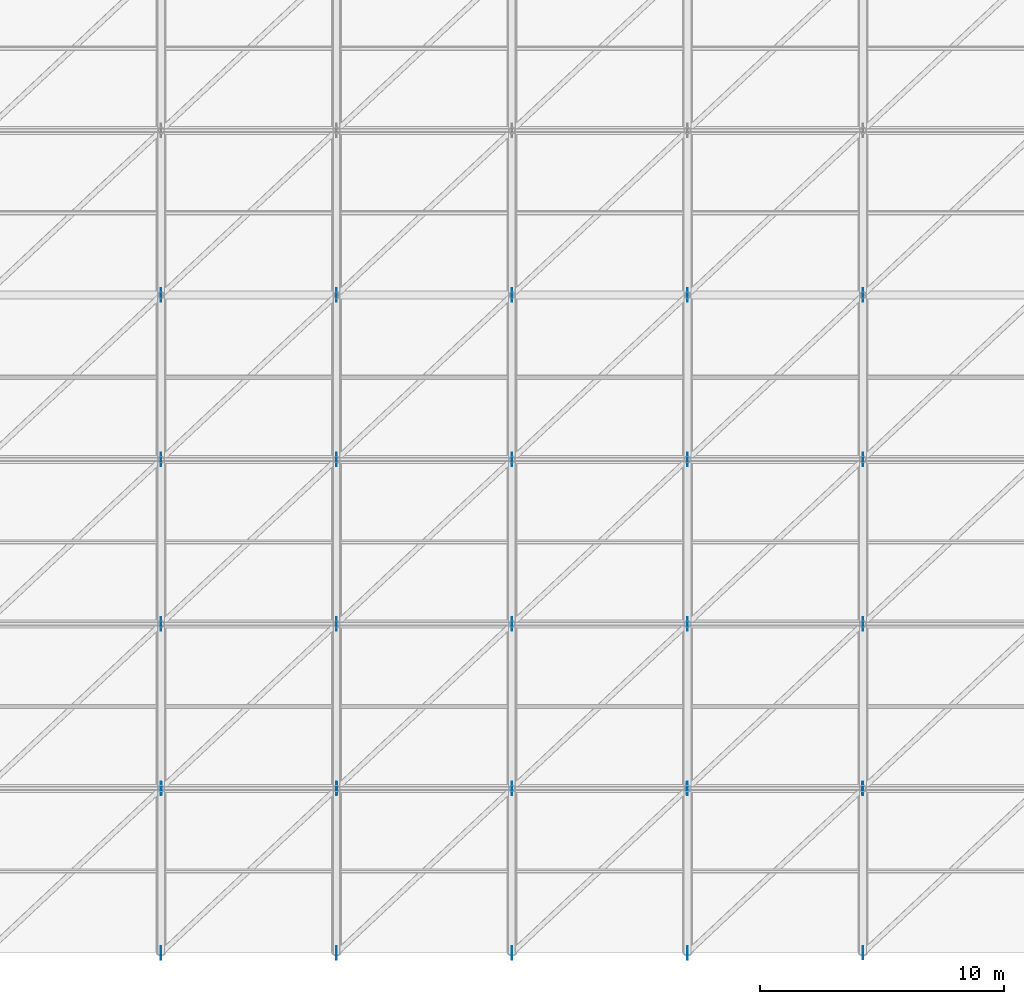
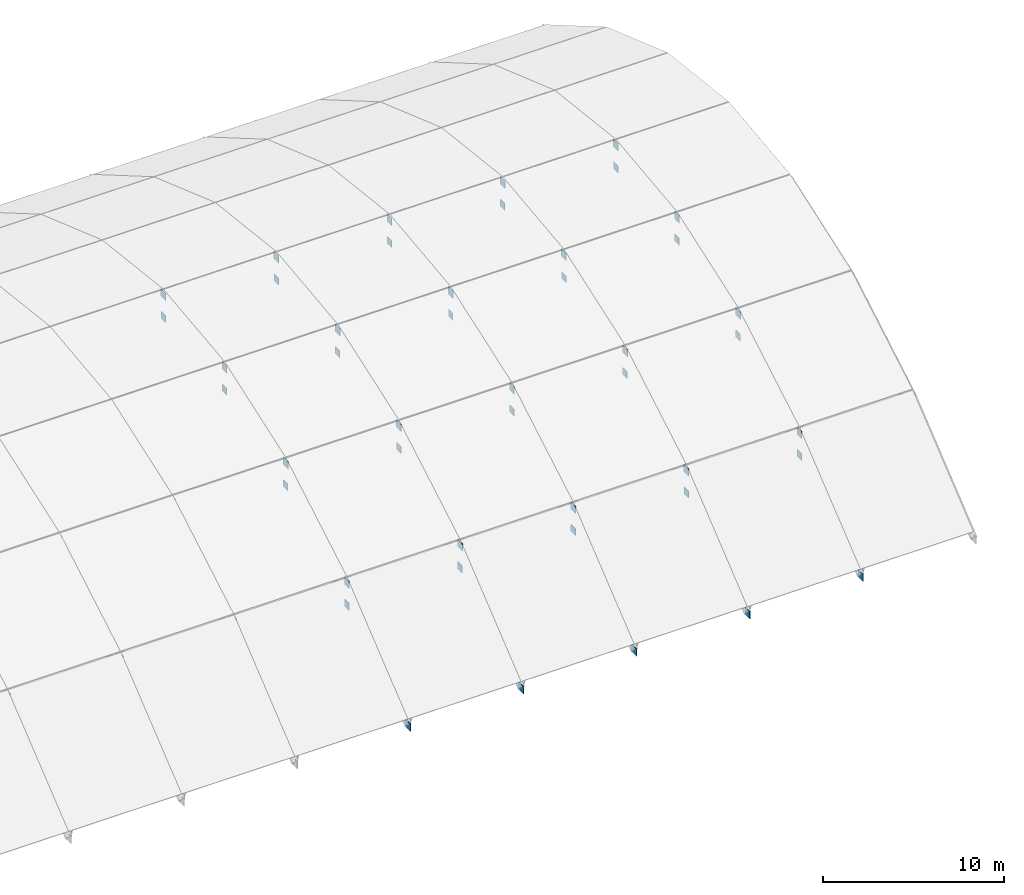
# One storey, part 61 of 72: 45 plates.
"""IFC4 building model written with IfcOpenShell, lengths in metres."""

from ifc_helpers import new_model, si_unit, direction, frame, origin, origin_2d, place, context, subcontext, project, spatial, rectangle, extrude, material, layer, layer_set, type_object, element, save


model = new_model("IFC4")

# Units and contexts
model_context = context("Model", 3, precision=1e-05, world=origin(), true_north=direction((0.0, 1.0)))
body_context = subcontext(model_context, "Body", "Model", "MODEL_VIEW")
ifc_project = project(units=[si_unit("LENGTHUNIT", "METRE"), si_unit("AREAUNIT", "SQUARE_METRE"), si_unit("VOLUMEUNIT", "CUBIC_METRE"), si_unit("PLANEANGLEUNIT", "RADIAN"), si_unit("MASSUNIT", "GRAM", prefix="KILO")], contexts=[model_context])

# Site, building, storey
site_placement = place(None, origin())
site = spatial("IfcSite", under=ifc_project, at=site_placement, CompositionType="ELEMENT")
building_placement = place(site_placement, origin())
building = spatial("IfcBuilding", under=site, at=building_placement, Name="Vaelcorin Mobility Hub", CompositionType="ELEMENT")
storey_placement = place(building_placement, frame((0.0, 0.0, 25.800048828125)))
storey = spatial("IfcBuildingStorey", under=building, at=storey_placement, Name="RF", CompositionType="ELEMENT", Elevation=25.800048828125)

# Plates
ifc_material = material(Name="Steel ASTM A572 Grade 50", Category="steel")
ifc_layer_1 = layer(ifc_material, 0.0400390625)
ifc_layer_set_1 = layer_set([ifc_layer_1], Name="Steel ASTM A572 Grade 50")
plate_type_1 = type_object("IfcPlateType", Name="PL-SN1", PredefinedType="USERDEFINED", material=ifc_layer_set_1)
for number, where, z_axis, x_axis, name in (
    (1, (72.0, 12.75, -16.01806640625), (0.0, 0.0, 1.0), (1.0, 0.0, 0.0), "Space-Frame Lower Node Gusset 6-1"),
    (2, (79.199951171875, 12.75, -16.01806640625), (0.0, 0.0, 1.0), (1.0, 0.0, 0.0), "Space-Frame Lower Node Gusset 7-1"),
    (3, (86.39990234375, 12.75, -16.01806640625), (0.0, 0.0, 1.0), (1.0, 0.0, 0.0), "Space-Frame Lower Node Gusset 8-1"),
    (4, (93.60009765625, 12.75, -16.01806640625), (0.0, 0.0, 1.0), (1.0, 0.0, 0.0), "Space-Frame Lower Node Gusset 9-1"),
    (5, (100.800048828125, 12.75, -16.01806640625), (0.0, 0.0, 1.0), (1.0, 0.0, 0.0), "Space-Frame Lower Node Gusset 10-1"),
):
    element("IfcPlate", number, at=place(storey_placement, frame(where, z_axis=z_axis, x_axis=x_axis)), inside=storey, type_object=plate_type_1, Name=name, ObjectType="GUSSET PLATE", PredefinedType="USERDEFINED", context=body_context, shape_type="SweptSolid", body=[
        extrude(rectangle(XDim=0.0400390625, YDim=0.5, at=origin_2d()), origin(), (0.0, 0.0, 1.0), 0.4599609375),
    ])
ifc_layer_2 = layer(ifc_material, 0.035888671875)
ifc_layer_set_2 = layer_set([ifc_layer_2], Name="Steel ASTM A572 Grade 50")
plate_type_2 = type_object("IfcPlateType", Name="PL-SN2", PredefinedType="USERDEFINED", material=ifc_layer_set_2)
for number, where, z_axis, x_axis, name in (
    (6, (72.0, 6.0, -20.050048828125), (0.0, 0.0, 1.0), (1.0, 0.0, 0.0), "Space-Frame Node Gusset SN2 6-0"),
    (7, (79.199951171875, 6.0, -20.050048828125), (0.0, 0.0, 1.0), (1.0, 0.0, 0.0), "Space-Frame Node Gusset SN2 7-0"),
    (8, (86.39990234375, 6.0, -20.050048828125), (0.0, 0.0, 1.0), (1.0, 0.0, 0.0), "Space-Frame Node Gusset SN2 8-0"),
    (9, (93.60009765625, 6.0, -20.050048828125), (0.0, 0.0, 1.0), (1.0, 0.0, 0.0), "Space-Frame Node Gusset SN2 9-0"),
    (10, (100.800048828125, 6.0, -20.050048828125), (0.0, 0.0, 1.0), (1.0, 0.0, 0.0), "Space-Frame Node Gusset SN2 10-0"),
):
    element("IfcPlate", number, at=place(storey_placement, frame(where, z_axis=z_axis, x_axis=x_axis)), inside=storey, type_object=plate_type_2, Name=name, ObjectType="GUSSET PLATE", PredefinedType="USERDEFINED", context=body_context, shape_type="SweptSolid", body=[
        extrude(rectangle(XDim=0.035888671875, YDim=0.5400390625, at=origin_2d()), origin(), (0.0, 0.0, 1.0), 0.5),
    ])
ifc_layer_3 = layer(ifc_material, 0.031982421875)
ifc_layer_set_3 = layer_set([ifc_layer_3], Name="Steel ASTM A572 Grade 50")
plate_type_3 = type_object("IfcPlateType", Name="PL-SN3", PredefinedType="USERDEFINED", material=ifc_layer_set_3)
for number, where, z_axis, x_axis, name in (
    (11, (72.0, 33.0, -7.449951171875), (0.0, 0.0, 1.0), (1.0, 0.0, 0.0), "Space-Frame Node Gusset SN3 6-4"),
    (12, (79.199951171875, 33.0, -7.449951171875), (0.0, 0.0, 1.0), (1.0, 0.0, 0.0), "Space-Frame Node Gusset SN3 7-4"),
    (13, (86.39990234375, 33.0, -7.449951171875), (0.0, 0.0, 1.0), (1.0, 0.0, 0.0), "Space-Frame Node Gusset SN3 8-4"),
    (14, (93.60009765625, 33.0, -7.449951171875), (0.0, 0.0, 1.0), (1.0, 0.0, 0.0), "Space-Frame Node Gusset SN3 9-4"),
    (15, (100.800048828125, 33.0, -7.449951171875), (0.0, 0.0, 1.0), (1.0, 0.0, 0.0), "Space-Frame Node Gusset SN3 10-4"),
):
    element("IfcPlate", number, at=place(storey_placement, frame(where, z_axis=z_axis, x_axis=x_axis)), inside=storey, type_object=plate_type_3, Name=name, ObjectType="GUSSET PLATE", PredefinedType="USERDEFINED", context=body_context, shape_type="SweptSolid", body=[
        extrude(rectangle(XDim=0.031982421875, YDim=0.5400390625, at=origin_2d()), origin(), (0.0, 0.0, 1.0), 0.5),
    ])
ifc_layer_4 = layer(ifc_material, 0.028076171875)
ifc_layer_set_4 = layer_set([ifc_layer_4], Name="Steel ASTM A572 Grade 50")
plate_type_4 = type_object("IfcPlateType", Name="PL-SN4", PredefinedType="USERDEFINED", material=ifc_layer_set_4)
for number, where, z_axis, x_axis, name in (
    (16, (72.0, 12.75, -14.5380859375), (0.0, 0.0, 1.0), (1.0, 0.0, 0.0), "Space-Frame Node Gusset SN4 6-1"),
    (17, (72.0, 19.5, -10.60009765625), (0.0, 0.0, 1.0), (1.0, 0.0, 0.0), "Space-Frame Node Gusset SN4 6-2"),
):
    element("IfcPlate", number, at=place(storey_placement, frame(where, z_axis=z_axis, x_axis=x_axis)), inside=storey, type_object=plate_type_4, Name=name, ObjectType="GUSSET PLATE", PredefinedType="USERDEFINED", context=body_context, shape_type="SweptSolid", body=[
        extrude(rectangle(XDim=0.028076171875, YDim=0.5400390625, at=origin_2d()), origin(), (0.0, 0.0, 1.0), 0.5),
    ])
plate_1_placement = place(storey_placement, frame((72.0, 19.5, -12.080078125), z_axis=(0.0, 0.0, 1.0), x_axis=(1.0, 0.0, 0.0)))
element("IfcPlate", 18, at=plate_1_placement, inside=storey, type_object=plate_type_4, Name="Space-Frame Lower Node Gusset 6-2", ObjectType="GUSSET PLATE", PredefinedType="USERDEFINED", context=body_context, shape_type="SweptSolid", body=[
    extrude(rectangle(XDim=0.028076171875, YDim=0.5, at=origin_2d()), origin(), (0.0, 0.0, 1.0), 0.4599609375),
])
plate_2_placement = place(storey_placement, frame((72.0, 26.25, -8.238037109375), z_axis=(0.0, 0.0, 1.0), x_axis=(1.0, 0.0, 0.0)))
element("IfcPlate", 19, at=plate_2_placement, inside=storey, type_object=plate_type_4, Name="Space-Frame Node Gusset SN4 6-3", ObjectType="GUSSET PLATE", PredefinedType="USERDEFINED", context=body_context, shape_type="SweptSolid", body=[
    extrude(rectangle(XDim=0.028076171875, YDim=0.5400390625, at=origin_2d()), origin(), (0.0, 0.0, 1.0), 0.5),
])
for number, where, z_axis, x_axis, name in (
    (20, (72.0, 26.25, -9.718017578125), (0.0, 0.0, 1.0), (1.0, 0.0, 0.0), "Space-Frame Lower Node Gusset 6-3"),
    (21, (72.0, 33.0, -8.929931640625), (0.0, 0.0, 1.0), (1.0, 0.0, 0.0), "Space-Frame Lower Node Gusset 6-4"),
):
    element("IfcPlate", number, at=place(storey_placement, frame(where, z_axis=z_axis, x_axis=x_axis)), inside=storey, type_object=plate_type_4, Name=name, ObjectType="GUSSET PLATE", PredefinedType="USERDEFINED", context=body_context, shape_type="SweptSolid", body=[
        extrude(rectangle(XDim=0.028076171875, YDim=0.5, at=origin_2d()), origin(), (0.0, 0.0, 1.0), 0.4599609375),
    ])
for number, where, z_axis, x_axis, name in (
    (22, (79.199951171875, 12.75, -14.5380859375), (0.0, 0.0, 1.0), (1.0, 0.0, 0.0), "Space-Frame Node Gusset SN4 7-1"),
    (23, (79.199951171875, 19.5, -10.60009765625), (0.0, 0.0, 1.0), (1.0, 0.0, 0.0), "Space-Frame Node Gusset SN4 7-2"),
):
    element("IfcPlate", number, at=place(storey_placement, frame(where, z_axis=z_axis, x_axis=x_axis)), inside=storey, type_object=plate_type_4, Name=name, ObjectType="GUSSET PLATE", PredefinedType="USERDEFINED", context=body_context, shape_type="SweptSolid", body=[
        extrude(rectangle(XDim=0.028076171875, YDim=0.5400390625, at=origin_2d()), origin(), (0.0, 0.0, 1.0), 0.5),
    ])
plate_3_placement = place(storey_placement, frame((79.199951171875, 19.5, -12.080078125), z_axis=(0.0, 0.0, 1.0), x_axis=(1.0, 0.0, 0.0)))
element("IfcPlate", 24, at=plate_3_placement, inside=storey, type_object=plate_type_4, Name="Space-Frame Lower Node Gusset 7-2", ObjectType="GUSSET PLATE", PredefinedType="USERDEFINED", context=body_context, shape_type="SweptSolid", body=[
    extrude(rectangle(XDim=0.028076171875, YDim=0.5, at=origin_2d()), origin(), (0.0, 0.0, 1.0), 0.4599609375),
])
plate_4_placement = place(storey_placement, frame((79.199951171875, 26.25, -8.238037109375), z_axis=(0.0, 0.0, 1.0), x_axis=(1.0, 0.0, 0.0)))
element("IfcPlate", 25, at=plate_4_placement, inside=storey, type_object=plate_type_4, Name="Space-Frame Node Gusset SN4 7-3", ObjectType="GUSSET PLATE", PredefinedType="USERDEFINED", context=body_context, shape_type="SweptSolid", body=[
    extrude(rectangle(XDim=0.028076171875, YDim=0.5400390625, at=origin_2d()), origin(), (0.0, 0.0, 1.0), 0.5),
])
for number, where, z_axis, x_axis, name in (
    (26, (79.199951171875, 26.25, -9.718017578125), (0.0, 0.0, 1.0), (1.0, 0.0, 0.0), "Space-Frame Lower Node Gusset 7-3"),
    (27, (79.199951171875, 33.0, -8.929931640625), (0.0, 0.0, 1.0), (1.0, 0.0, 0.0), "Space-Frame Lower Node Gusset 7-4"),
):
    element("IfcPlate", number, at=place(storey_placement, frame(where, z_axis=z_axis, x_axis=x_axis)), inside=storey, type_object=plate_type_4, Name=name, ObjectType="GUSSET PLATE", PredefinedType="USERDEFINED", context=body_context, shape_type="SweptSolid", body=[
        extrude(rectangle(XDim=0.028076171875, YDim=0.5, at=origin_2d()), origin(), (0.0, 0.0, 1.0), 0.4599609375),
    ])
for number, where, z_axis, x_axis, name in (
    (28, (86.39990234375, 12.75, -14.5380859375), (0.0, 0.0, 1.0), (1.0, 0.0, 0.0), "Space-Frame Node Gusset SN4 8-1"),
    (29, (86.39990234375, 19.5, -10.60009765625), (0.0, 0.0, 1.0), (1.0, 0.0, 0.0), "Space-Frame Node Gusset SN4 8-2"),
):
    element("IfcPlate", number, at=place(storey_placement, frame(where, z_axis=z_axis, x_axis=x_axis)), inside=storey, type_object=plate_type_4, Name=name, ObjectType="GUSSET PLATE", PredefinedType="USERDEFINED", context=body_context, shape_type="SweptSolid", body=[
        extrude(rectangle(XDim=0.028076171875, YDim=0.5400390625, at=origin_2d()), origin(), (0.0, 0.0, 1.0), 0.5),
    ])
plate_5_placement = place(storey_placement, frame((86.39990234375, 19.5, -12.080078125), z_axis=(0.0, 0.0, 1.0), x_axis=(1.0, 0.0, 0.0)))
element("IfcPlate", 30, at=plate_5_placement, inside=storey, type_object=plate_type_4, Name="Space-Frame Lower Node Gusset 8-2", ObjectType="GUSSET PLATE", PredefinedType="USERDEFINED", context=body_context, shape_type="SweptSolid", body=[
    extrude(rectangle(XDim=0.028076171875, YDim=0.5, at=origin_2d()), origin(), (0.0, 0.0, 1.0), 0.4599609375),
])
plate_6_placement = place(storey_placement, frame((86.39990234375, 26.25, -8.238037109375), z_axis=(0.0, 0.0, 1.0), x_axis=(1.0, 0.0, 0.0)))
element("IfcPlate", 31, at=plate_6_placement, inside=storey, type_object=plate_type_4, Name="Space-Frame Node Gusset SN4 8-3", ObjectType="GUSSET PLATE", PredefinedType="USERDEFINED", context=body_context, shape_type="SweptSolid", body=[
    extrude(rectangle(XDim=0.028076171875, YDim=0.5400390625, at=origin_2d()), origin(), (0.0, 0.0, 1.0), 0.5),
])
for number, where, z_axis, x_axis, name in (
    (32, (86.39990234375, 26.25, -9.718017578125), (0.0, 0.0, 1.0), (1.0, 0.0, 0.0), "Space-Frame Lower Node Gusset 8-3"),
    (33, (86.39990234375, 33.0, -8.929931640625), (0.0, 0.0, 1.0), (1.0, 0.0, 0.0), "Space-Frame Lower Node Gusset 8-4"),
):
    element("IfcPlate", number, at=place(storey_placement, frame(where, z_axis=z_axis, x_axis=x_axis)), inside=storey, type_object=plate_type_4, Name=name, ObjectType="GUSSET PLATE", PredefinedType="USERDEFINED", context=body_context, shape_type="SweptSolid", body=[
        extrude(rectangle(XDim=0.028076171875, YDim=0.5, at=origin_2d()), origin(), (0.0, 0.0, 1.0), 0.4599609375),
    ])
for number, where, z_axis, x_axis, name in (
    (34, (93.60009765625, 12.75, -14.5380859375), (0.0, 0.0, 1.0), (1.0, 0.0, 0.0), "Space-Frame Node Gusset SN4 9-1"),
    (35, (93.60009765625, 19.5, -10.60009765625), (0.0, 0.0, 1.0), (1.0, 0.0, 0.0), "Space-Frame Node Gusset SN4 9-2"),
):
    element("IfcPlate", number, at=place(storey_placement, frame(where, z_axis=z_axis, x_axis=x_axis)), inside=storey, type_object=plate_type_4, Name=name, ObjectType="GUSSET PLATE", PredefinedType="USERDEFINED", context=body_context, shape_type="SweptSolid", body=[
        extrude(rectangle(XDim=0.028076171875, YDim=0.5400390625, at=origin_2d()), origin(), (0.0, 0.0, 1.0), 0.5),
    ])
plate_7_placement = place(storey_placement, frame((93.60009765625, 19.5, -12.080078125), z_axis=(0.0, 0.0, 1.0), x_axis=(1.0, 0.0, 0.0)))
element("IfcPlate", 36, at=plate_7_placement, inside=storey, type_object=plate_type_4, Name="Space-Frame Lower Node Gusset 9-2", ObjectType="GUSSET PLATE", PredefinedType="USERDEFINED", context=body_context, shape_type="SweptSolid", body=[
    extrude(rectangle(XDim=0.028076171875, YDim=0.5, at=origin_2d()), origin(), (0.0, 0.0, 1.0), 0.4599609375),
])
plate_8_placement = place(storey_placement, frame((93.60009765625, 26.25, -8.238037109375), z_axis=(0.0, 0.0, 1.0), x_axis=(1.0, 0.0, 0.0)))
element("IfcPlate", 37, at=plate_8_placement, inside=storey, type_object=plate_type_4, Name="Space-Frame Node Gusset SN4 9-3", ObjectType="GUSSET PLATE", PredefinedType="USERDEFINED", context=body_context, shape_type="SweptSolid", body=[
    extrude(rectangle(XDim=0.028076171875, YDim=0.5400390625, at=origin_2d()), origin(), (0.0, 0.0, 1.0), 0.5),
])
for number, where, z_axis, x_axis, name in (
    (38, (93.60009765625, 26.25, -9.718017578125), (0.0, 0.0, 1.0), (1.0, 0.0, 0.0), "Space-Frame Lower Node Gusset 9-3"),
    (39, (93.60009765625, 33.0, -8.929931640625), (0.0, 0.0, 1.0), (1.0, 0.0, 0.0), "Space-Frame Lower Node Gusset 9-4"),
):
    element("IfcPlate", number, at=place(storey_placement, frame(where, z_axis=z_axis, x_axis=x_axis)), inside=storey, type_object=plate_type_4, Name=name, ObjectType="GUSSET PLATE", PredefinedType="USERDEFINED", context=body_context, shape_type="SweptSolid", body=[
        extrude(rectangle(XDim=0.028076171875, YDim=0.5, at=origin_2d()), origin(), (0.0, 0.0, 1.0), 0.4599609375),
    ])
for number, where, z_axis, x_axis, name in (
    (40, (100.800048828125, 12.75, -14.5380859375), (0.0, 0.0, 1.0), (1.0, 0.0, 0.0), "Space-Frame Node Gusset SN4 10-1"),
    (41, (100.800048828125, 19.5, -10.60009765625), (0.0, 0.0, 1.0), (1.0, 0.0, 0.0), "Space-Frame Node Gusset SN4 10-2"),
):
    element("IfcPlate", number, at=place(storey_placement, frame(where, z_axis=z_axis, x_axis=x_axis)), inside=storey, type_object=plate_type_4, Name=name, ObjectType="GUSSET PLATE", PredefinedType="USERDEFINED", context=body_context, shape_type="SweptSolid", body=[
        extrude(rectangle(XDim=0.028076171875, YDim=0.5400390625, at=origin_2d()), origin(), (0.0, 0.0, 1.0), 0.5),
    ])
plate_9_placement = place(storey_placement, frame((100.800048828125, 19.5, -12.080078125), z_axis=(0.0, 0.0, 1.0), x_axis=(1.0, 0.0, 0.0)))
element("IfcPlate", 42, at=plate_9_placement, inside=storey, type_object=plate_type_4, Name="Space-Frame Lower Node Gusset 10-2", ObjectType="GUSSET PLATE", PredefinedType="USERDEFINED", context=body_context, shape_type="SweptSolid", body=[
    extrude(rectangle(XDim=0.028076171875, YDim=0.5, at=origin_2d()), origin(), (0.0, 0.0, 1.0), 0.4599609375),
])
plate_10_placement = place(storey_placement, frame((100.800048828125, 26.25, -8.238037109375), z_axis=(0.0, 0.0, 1.0), x_axis=(1.0, 0.0, 0.0)))
element("IfcPlate", 43, at=plate_10_placement, inside=storey, type_object=plate_type_4, Name="Space-Frame Node Gusset SN4 10-3", ObjectType="GUSSET PLATE", PredefinedType="USERDEFINED", context=body_context, shape_type="SweptSolid", body=[
    extrude(rectangle(XDim=0.028076171875, YDim=0.5400390625, at=origin_2d()), origin(), (0.0, 0.0, 1.0), 0.5),
])
for number, where, z_axis, x_axis, name in (
    (44, (100.800048828125, 26.25, -9.718017578125), (0.0, 0.0, 1.0), (1.0, 0.0, 0.0), "Space-Frame Lower Node Gusset 10-3"),
    (45, (100.800048828125, 33.0, -8.929931640625), (0.0, 0.0, 1.0), (1.0, 0.0, 0.0), "Space-Frame Lower Node Gusset 10-4"),
):
    element("IfcPlate", number, at=place(storey_placement, frame(where, z_axis=z_axis, x_axis=x_axis)), inside=storey, type_object=plate_type_4, Name=name, ObjectType="GUSSET PLATE", PredefinedType="USERDEFINED", context=body_context, shape_type="SweptSolid", body=[
        extrude(rectangle(XDim=0.028076171875, YDim=0.5, at=origin_2d()), origin(), (0.0, 0.0, 1.0), 0.4599609375),
    ])

save(model, "model.ifc")
